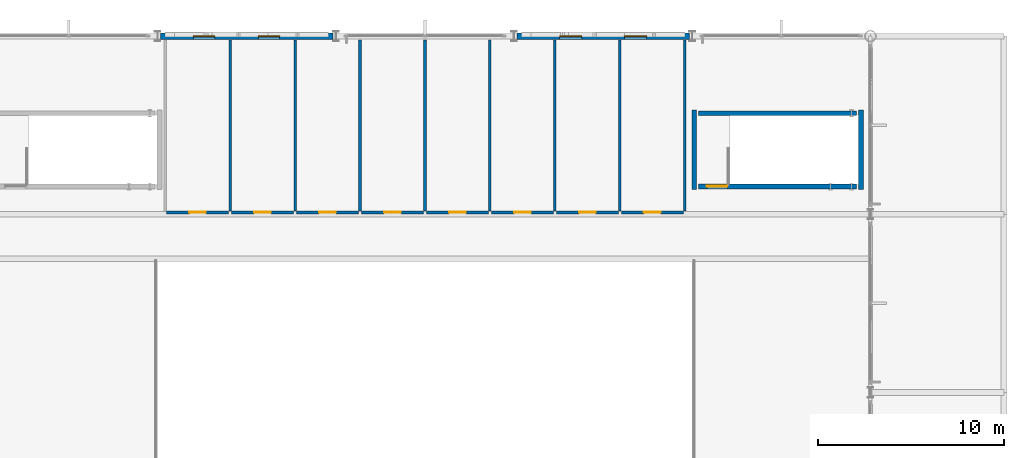
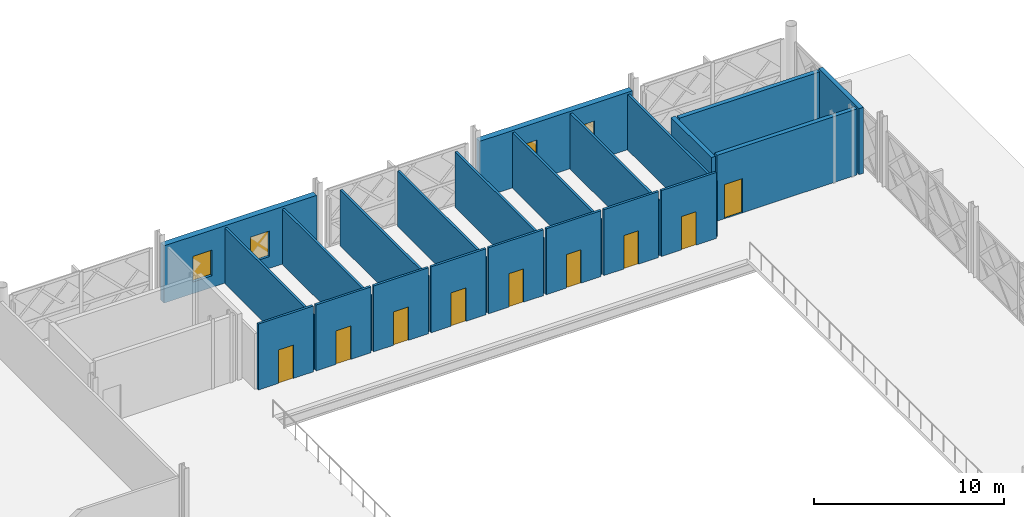
# One storey, part 72 of 101: 22 walls, 9 doors, 4 windows, 13 openings.
"""IFC4 building model written with IfcOpenShell, lengths in metres."""

from ifc_helpers import new_model, si_unit, direction, frame, frame_2d, origin, place, context, subcontext, project, spatial, rectangle, extrude, material, layer, layer_set, type_object, element, fill, save


model = new_model("IFC4")

# Units and contexts
model_context = context("Model", 3, precision=1e-05, world=origin(), true_north=direction((0.0, 1.0)))
body_context = subcontext(model_context, "Body", "Model", "MODEL_VIEW")
ifc_project = project(units=[si_unit("LENGTHUNIT", "METRE"), si_unit("AREAUNIT", "SQUARE_METRE"), si_unit("VOLUMEUNIT", "CUBIC_METRE"), si_unit("PLANEANGLEUNIT", "RADIAN"), si_unit("MASSUNIT", "GRAM", prefix="KILO")], contexts=[model_context])

# Site, building, storey
site_placement = place(None, origin())
site = spatial("IfcSite", under=ifc_project, at=site_placement, CompositionType="ELEMENT")
building_placement = place(site_placement, origin())
building = spatial("IfcBuilding", under=site, at=building_placement, Name="Zevrakil Square Congress Hotel", CompositionType="ELEMENT")
storey_placement = place(building_placement, frame((0.0, 0.0, 5.39990234375)))
storey = spatial("IfcBuildingStorey", under=building, at=storey_placement, Name="L02", CompositionType="ELEMENT", Elevation=5.39990234375)

# Wall, opening, door
ifc_material_1 = material(Name="Acoustic ISO-2603 Booth Partition")
ifc_layer_1 = layer(ifc_material_1, 0.139892578125)
ifc_layer_set_1 = layer_set([ifc_layer_1], Name="Acoustic ISO-2603 Booth Partition")
wall_type_1 = type_object("IfcWallType", Name="WAL-BOOTH-140", PredefinedType="PARTITIONING", material=ifc_layer_set_1)
wall_1_placement = place(storey_placement, frame((127.679931640625, 103.300048828125, 0.0), z_axis=(0.0, 0.0, 1.0), x_axis=(1.0, 0.0, 0.0)))
wall_1 = element("IfcWall", 1, at=wall_1_placement, inside=storey, type_object=wall_type_1, Name="L02 interior partition PW-L02-0189", PredefinedType="PARTITIONING", context=body_context, shape_type="SweptSolid", body=[
    extrude(rectangle(XDim=3.340087890625, YDim=0.139892578125, at=frame_2d((1.669921875, 0.0))), origin(), (0.0, 0.0, 1.0), 4.239990234375),
])
opening_1_placement = place(wall_1_placement, frame((1.219970703125, 0.0, 0.0)))
opening_1 = element("IfcOpeningElement", 2, at=opening_1_placement, cuts=wall_1, Name="Opening ID-06", PredefinedType="OPENING", context=body_context, shape_type="SweptSolid", body=[
    extrude(rectangle(XDim=0.89990234375, YDim=2.14990234375, at=frame_2d((0.449951171875, 1.074951171875))), frame((0.0, 0.080078125, 0.0), z_axis=(0.0, -1.0, 0.0), x_axis=(1.0, 0.0, 0.0)), (0.0, 0.0, 1.0), 0.159912109375),
])
ifc_material_2 = material(Name="ISO-2603 Sound-Lock Booth Door")
door_type_1 = type_object("IfcDoorType", Name="DOR-SI-090", OperationType="NOTDEFINED", PredefinedType="DOOR", material=ifc_material_2)
door_1_placement = place(opening_1_placement, origin())
door_1 = element("IfcDoor", 3, at=door_1_placement, inside=storey, type_object=door_type_1, Name="L02 interior door 79", OperationType="SINGLE_SWING_LEFT", OverallHeight=2.14990234375, OverallWidth=0.89990234375, PredefinedType="DOOR", context=body_context, shape_type="SweptSolid", body=[
    extrude(rectangle(XDim=0.89990234375, YDim=2.14990234375, at=frame_2d((0.449951171875, 1.074951171875))), frame((0.0, 0.02490234375, 0.0), z_axis=(0.0, -1.0, 0.0), x_axis=(1.0, 0.0, 0.0)), (0.0, 0.0, 1.0), 0.050048828125),
])
fill(opening_1, door_1)

wall_2_placement = place(storey_placement, frame((131.179931640625, 103.300048828125, 0.0), z_axis=(0.0, 0.0, 1.0), x_axis=(1.0, 0.0, 0.0)))
wall_2 = element("IfcWall", 4, at=wall_2_placement, inside=storey, type_object=wall_type_1, Name="L02 interior partition PW-L02-0191", PredefinedType="PARTITIONING", context=body_context, shape_type="SweptSolid", body=[
    extrude(rectangle(XDim=3.340087890625, YDim=0.139892578125, at=frame_2d((1.669921875, 0.0))), origin(), (0.0, 0.0, 1.0), 4.239990234375),
])
opening_2_placement = place(wall_2_placement, frame((1.219970703125, 0.0, 0.0)))
opening_2 = element("IfcOpeningElement", 5, at=opening_2_placement, cuts=wall_2, Name="Opening ID-06", PredefinedType="OPENING", context=body_context, shape_type="SweptSolid", body=[
    extrude(rectangle(XDim=0.89990234375, YDim=2.14990234375, at=frame_2d((0.449951171875, 1.074951171875))), frame((0.0, 0.080078125, 0.0), z_axis=(0.0, -1.0, 0.0), x_axis=(1.0, 0.0, 0.0)), (0.0, 0.0, 1.0), 0.159912109375),
])
door_2_placement = place(opening_2_placement, origin())
door_2 = element("IfcDoor", 6, at=door_2_placement, inside=storey, type_object=door_type_1, Name="L02 interior door 80", OperationType="SINGLE_SWING_RIGHT", OverallHeight=2.14990234375, OverallWidth=0.89990234375, PredefinedType="DOOR", context=body_context, shape_type="SweptSolid", body=[
    extrude(rectangle(XDim=0.89990234375, YDim=2.14990234375, at=frame_2d((0.449951171875, 1.074951171875))), frame((0.0, 0.02490234375, 0.0), z_axis=(0.0, -1.0, 0.0), x_axis=(1.0, 0.0, 0.0)), (0.0, 0.0, 1.0), 0.050048828125),
])
fill(opening_2, door_2)

# Wall
wall_3_placement = place(storey_placement, frame((131.10009765625, 103.3798828125, 0.0), z_axis=(0.0, 0.0, 1.0), x_axis=(0.0, 1.0, 0.0)))
element("IfcWall", 7, at=wall_3_placement, inside=storey, type_object=wall_type_1, Name="L02 interior partition PW-L02-0192", PredefinedType="PARTITIONING", context=body_context, shape_type="SweptSolid", body=[
    extrude(rectangle(XDim=9.2001953125, YDim=0.139892578125, at=frame_2d((4.60009765625, 0.0))), origin(), (0.0, 0.0, 1.0), 3.5751953125),
])

# Wall, opening, door
wall_4_placement = place(storey_placement, frame((134.679931640625, 103.300048828125, 0.0), z_axis=(0.0, 0.0, 1.0), x_axis=(1.0, 0.0, 0.0)))
wall_4 = element("IfcWall", 8, at=wall_4_placement, inside=storey, type_object=wall_type_1, Name="L02 interior partition PW-L02-0193", PredefinedType="PARTITIONING", context=body_context, shape_type="SweptSolid", body=[
    extrude(rectangle(XDim=3.340087890625, YDim=0.139892578125, at=frame_2d((1.669921875, 0.0))), origin(), (0.0, 0.0, 1.0), 4.239990234375),
])
opening_3_placement = place(wall_4_placement, frame((1.219970703125, 0.0, 0.0)))
opening_3 = element("IfcOpeningElement", 9, at=opening_3_placement, cuts=wall_4, Name="Opening ID-06", PredefinedType="OPENING", context=body_context, shape_type="SweptSolid", body=[
    extrude(rectangle(XDim=0.89990234375, YDim=2.14990234375, at=frame_2d((0.449951171875, 1.074951171875))), frame((0.0, 0.080078125, 0.0), z_axis=(0.0, -1.0, 0.0), x_axis=(1.0, 0.0, 0.0)), (0.0, 0.0, 1.0), 0.159912109375),
])
door_3_placement = place(opening_3_placement, origin())
door_3 = element("IfcDoor", 10, at=door_3_placement, inside=storey, type_object=door_type_1, Name="L02 interior door 81", OperationType="SINGLE_SWING_LEFT", OverallHeight=2.14990234375, OverallWidth=0.89990234375, PredefinedType="DOOR", context=body_context, shape_type="SweptSolid", body=[
    extrude(rectangle(XDim=0.89990234375, YDim=2.14990234375, at=frame_2d((0.449951171875, 1.074951171875))), frame((0.0, 0.02490234375, 0.0), z_axis=(0.0, -1.0, 0.0), x_axis=(1.0, 0.0, 0.0)), (0.0, 0.0, 1.0), 0.050048828125),
])
fill(opening_3, door_3)

# Wall
wall_5_placement = place(storey_placement, frame((134.60009765625, 103.3798828125, 0.0), z_axis=(0.0, 0.0, 1.0), x_axis=(0.0, 1.0, 0.0)))
element("IfcWall", 11, at=wall_5_placement, inside=storey, type_object=wall_type_1, Name="L02 interior partition PW-L02-0194", PredefinedType="PARTITIONING", context=body_context, shape_type="SweptSolid", body=[
    extrude(rectangle(XDim=9.2001953125, YDim=0.139892578125, at=frame_2d((4.60009765625, 0.0))), origin(), (0.0, 0.0, 1.0), 3.5751953125),
])

# Wall, opening, door
wall_6_placement = place(storey_placement, frame((138.179931640625, 103.300048828125, 0.0), z_axis=(0.0, 0.0, 1.0), x_axis=(1.0, 0.0, 0.0)))
wall_6 = element("IfcWall", 12, at=wall_6_placement, inside=storey, type_object=wall_type_1, Name="L02 interior partition PW-L02-0195", PredefinedType="PARTITIONING", context=body_context, shape_type="SweptSolid", body=[
    extrude(rectangle(XDim=3.340087890625, YDim=0.139892578125, at=frame_2d((1.669921875, 0.0))), origin(), (0.0, 0.0, 1.0), 4.239990234375),
])
opening_4_placement = place(wall_6_placement, frame((1.219970703125, 0.0, 0.0)))
opening_4 = element("IfcOpeningElement", 13, at=opening_4_placement, cuts=wall_6, Name="Opening ID-06", PredefinedType="OPENING", context=body_context, shape_type="SweptSolid", body=[
    extrude(rectangle(XDim=0.89990234375, YDim=2.14990234375, at=frame_2d((0.449951171875, 1.074951171875))), frame((0.0, 0.080078125, 0.0), z_axis=(0.0, -1.0, 0.0), x_axis=(1.0, 0.0, 0.0)), (0.0, 0.0, 1.0), 0.159912109375),
])
door_4_placement = place(opening_4_placement, origin())
door_4 = element("IfcDoor", 14, at=door_4_placement, inside=storey, type_object=door_type_1, Name="L02 interior door 82", OperationType="SINGLE_SWING_RIGHT", OverallHeight=2.14990234375, OverallWidth=0.89990234375, PredefinedType="DOOR", context=body_context, shape_type="SweptSolid", body=[
    extrude(rectangle(XDim=0.89990234375, YDim=2.14990234375, at=frame_2d((0.449951171875, 1.074951171875))), frame((0.0, 0.02490234375, 0.0), z_axis=(0.0, -1.0, 0.0), x_axis=(1.0, 0.0, 0.0)), (0.0, 0.0, 1.0), 0.050048828125),
])
fill(opening_4, door_4)

# Wall
wall_7_placement = place(storey_placement, frame((138.10009765625, 103.3798828125, 0.0), z_axis=(0.0, 0.0, 1.0), x_axis=(0.0, 1.0, 0.0)))
element("IfcWall", 15, at=wall_7_placement, inside=storey, type_object=wall_type_1, Name="L02 interior partition PW-L02-0196", PredefinedType="PARTITIONING", context=body_context, shape_type="SweptSolid", body=[
    extrude(rectangle(XDim=9.2001953125, YDim=0.139892578125, at=frame_2d((4.60009765625, 0.0))), origin(), (0.0, 0.0, 1.0), 3.5751953125),
])

# Wall, opening, door
wall_8_placement = place(storey_placement, frame((141.679931640625, 103.300048828125, 0.0), z_axis=(0.0, 0.0, 1.0), x_axis=(1.0, 0.0, 0.0)))
wall_8 = element("IfcWall", 16, at=wall_8_placement, inside=storey, type_object=wall_type_1, Name="L02 interior partition PW-L02-0197", PredefinedType="PARTITIONING", context=body_context, shape_type="SweptSolid", body=[
    extrude(rectangle(XDim=3.340087890625, YDim=0.139892578125, at=frame_2d((1.669921875, 0.0))), origin(), (0.0, 0.0, 1.0), 4.239990234375),
])
opening_5_placement = place(wall_8_placement, frame((1.219970703125, 0.0, 0.0)))
opening_5 = element("IfcOpeningElement", 17, at=opening_5_placement, cuts=wall_8, Name="Opening ID-06", PredefinedType="OPENING", context=body_context, shape_type="SweptSolid", body=[
    extrude(rectangle(XDim=0.89990234375, YDim=2.14990234375, at=frame_2d((0.449951171875, 1.074951171875))), frame((0.0, 0.080078125, 0.0), z_axis=(0.0, -1.0, 0.0), x_axis=(1.0, 0.0, 0.0)), (0.0, 0.0, 1.0), 0.159912109375),
])
door_5_placement = place(opening_5_placement, origin())
door_5 = element("IfcDoor", 18, at=door_5_placement, inside=storey, type_object=door_type_1, Name="L02 interior door 83", OperationType="SINGLE_SWING_LEFT", OverallHeight=2.14990234375, OverallWidth=0.89990234375, PredefinedType="DOOR", context=body_context, shape_type="SweptSolid", body=[
    extrude(rectangle(XDim=0.89990234375, YDim=2.14990234375, at=frame_2d((0.449951171875, 1.074951171875))), frame((0.0, 0.02490234375, 0.0), z_axis=(0.0, -1.0, 0.0), x_axis=(1.0, 0.0, 0.0)), (0.0, 0.0, 1.0), 0.050048828125),
])
fill(opening_5, door_5)

# Wall
wall_9_placement = place(storey_placement, frame((141.60009765625, 103.3798828125, 0.0), z_axis=(0.0, 0.0, 1.0), x_axis=(0.0, 1.0, 0.0)))
element("IfcWall", 19, at=wall_9_placement, inside=storey, type_object=wall_type_1, Name="L02 interior partition PW-L02-0198", PredefinedType="PARTITIONING", context=body_context, shape_type="SweptSolid", body=[
    extrude(rectangle(XDim=9.2001953125, YDim=0.139892578125, at=frame_2d((4.60009765625, 0.0))), origin(), (0.0, 0.0, 1.0), 3.5751953125),
])

# Wall, opening, door
wall_10_placement = place(storey_placement, frame((145.179931640625, 103.300048828125, 0.0), z_axis=(0.0, 0.0, 1.0), x_axis=(1.0, 0.0, 0.0)))
wall_10 = element("IfcWall", 20, at=wall_10_placement, inside=storey, type_object=wall_type_1, Name="L02 interior partition PW-L02-0199", PredefinedType="PARTITIONING", context=body_context, shape_type="SweptSolid", body=[
    extrude(rectangle(XDim=3.340087890625, YDim=0.139892578125, at=frame_2d((1.669921875, 0.0))), origin(), (0.0, 0.0, 1.0), 4.239990234375),
])
opening_6_placement = place(wall_10_placement, frame((1.219970703125, 0.0, 0.0)))
opening_6 = element("IfcOpeningElement", 21, at=opening_6_placement, cuts=wall_10, Name="Opening ID-06", PredefinedType="OPENING", context=body_context, shape_type="SweptSolid", body=[
    extrude(rectangle(XDim=0.89990234375, YDim=2.14990234375, at=frame_2d((0.449951171875, 1.074951171875))), frame((0.0, 0.080078125, 0.0), z_axis=(0.0, -1.0, 0.0), x_axis=(1.0, 0.0, 0.0)), (0.0, 0.0, 1.0), 0.159912109375),
])
door_6_placement = place(opening_6_placement, origin())
door_6 = element("IfcDoor", 22, at=door_6_placement, inside=storey, type_object=door_type_1, Name="L02 interior door 84", OperationType="SINGLE_SWING_RIGHT", OverallHeight=2.14990234375, OverallWidth=0.89990234375, PredefinedType="DOOR", context=body_context, shape_type="SweptSolid", body=[
    extrude(rectangle(XDim=0.89990234375, YDim=2.14990234375, at=frame_2d((0.449951171875, 1.074951171875))), frame((0.0, 0.02490234375, 0.0), z_axis=(0.0, -1.0, 0.0), x_axis=(1.0, 0.0, 0.0)), (0.0, 0.0, 1.0), 0.050048828125),
])
fill(opening_6, door_6)

# Wall
wall_11_placement = place(storey_placement, frame((145.10009765625, 103.3798828125, 0.0), z_axis=(0.0, 0.0, 1.0), x_axis=(0.0, 1.0, 0.0)))
element("IfcWall", 23, at=wall_11_placement, inside=storey, type_object=wall_type_1, Name="L02 interior partition PW-L02-0200", PredefinedType="PARTITIONING", context=body_context, shape_type="SweptSolid", body=[
    extrude(rectangle(XDim=9.2001953125, YDim=0.139892578125, at=frame_2d((4.60009765625, 0.0))), origin(), (0.0, 0.0, 1.0), 3.5751953125),
])

# Wall, opening, door
wall_12_placement = place(storey_placement, frame((148.679931640625, 103.300048828125, 0.0), z_axis=(0.0, 0.0, 1.0), x_axis=(1.0, 0.0, 0.0)))
wall_12 = element("IfcWall", 24, at=wall_12_placement, inside=storey, type_object=wall_type_1, Name="L02 interior partition PW-L02-0201", PredefinedType="PARTITIONING", context=body_context, shape_type="SweptSolid", body=[
    extrude(rectangle(XDim=3.340087890625, YDim=0.139892578125, at=frame_2d((1.669921875, 0.0))), origin(), (0.0, 0.0, 1.0), 4.239990234375),
])
opening_7_placement = place(wall_12_placement, frame((1.219970703125, 0.0, 0.0)))
opening_7 = element("IfcOpeningElement", 25, at=opening_7_placement, cuts=wall_12, Name="Opening ID-06", PredefinedType="OPENING", context=body_context, shape_type="SweptSolid", body=[
    extrude(rectangle(XDim=0.89990234375, YDim=2.14990234375, at=frame_2d((0.449951171875, 1.074951171875))), frame((0.0, 0.080078125, 0.0), z_axis=(0.0, -1.0, 0.0), x_axis=(1.0, 0.0, 0.0)), (0.0, 0.0, 1.0), 0.159912109375),
])
door_7_placement = place(opening_7_placement, origin())
door_7 = element("IfcDoor", 26, at=door_7_placement, inside=storey, type_object=door_type_1, Name="L02 interior door 85", OperationType="SINGLE_SWING_LEFT", OverallHeight=2.14990234375, OverallWidth=0.89990234375, PredefinedType="DOOR", context=body_context, shape_type="SweptSolid", body=[
    extrude(rectangle(XDim=0.89990234375, YDim=2.14990234375, at=frame_2d((0.449951171875, 1.074951171875))), frame((0.0, 0.02490234375, 0.0), z_axis=(0.0, -1.0, 0.0), x_axis=(1.0, 0.0, 0.0)), (0.0, 0.0, 1.0), 0.050048828125),
])
fill(opening_7, door_7)

# Wall
wall_13_placement = place(storey_placement, frame((148.60009765625, 103.3798828125, 0.0), z_axis=(0.0, 0.0, 1.0), x_axis=(0.0, 1.0, 0.0)))
element("IfcWall", 27, at=wall_13_placement, inside=storey, type_object=wall_type_1, Name="L02 interior partition PW-L02-0202", PredefinedType="PARTITIONING", context=body_context, shape_type="SweptSolid", body=[
    extrude(rectangle(XDim=9.2001953125, YDim=0.139892578125, at=frame_2d((4.60009765625, 0.0))), origin(), (0.0, 0.0, 1.0), 3.5751953125),
])

# Wall, opening, door
wall_14_placement = place(storey_placement, frame((152.179931640625, 103.300048828125, 0.0), z_axis=(0.0, 0.0, 1.0), x_axis=(1.0, 0.0, 0.0)))
wall_14 = element("IfcWall", 28, at=wall_14_placement, inside=storey, type_object=wall_type_1, Name="L02 interior partition PW-L02-0203", PredefinedType="PARTITIONING", context=body_context, shape_type="SweptSolid", body=[
    extrude(rectangle(XDim=3.340087890625, YDim=0.139892578125, at=frame_2d((1.669921875, 0.0))), origin(), (0.0, 0.0, 1.0), 4.239990234375),
])
opening_8_placement = place(wall_14_placement, frame((1.219970703125, 0.0, 0.0)))
opening_8 = element("IfcOpeningElement", 29, at=opening_8_placement, cuts=wall_14, Name="Opening ID-06", PredefinedType="OPENING", context=body_context, shape_type="SweptSolid", body=[
    extrude(rectangle(XDim=0.89990234375, YDim=2.14990234375, at=frame_2d((0.449951171875, 1.074951171875))), frame((0.0, 0.080078125, 0.0), z_axis=(0.0, -1.0, 0.0), x_axis=(1.0, 0.0, 0.0)), (0.0, 0.0, 1.0), 0.159912109375),
])
door_8_placement = place(opening_8_placement, origin())
door_8 = element("IfcDoor", 30, at=door_8_placement, inside=storey, type_object=door_type_1, Name="L02 interior door 86", OperationType="SINGLE_SWING_RIGHT", OverallHeight=2.14990234375, OverallWidth=0.89990234375, PredefinedType="DOOR", context=body_context, shape_type="SweptSolid", body=[
    extrude(rectangle(XDim=0.89990234375, YDim=2.14990234375, at=frame_2d((0.449951171875, 1.074951171875))), frame((0.0, 0.02490234375, 0.0), z_axis=(0.0, -1.0, 0.0), x_axis=(1.0, 0.0, 0.0)), (0.0, 0.0, 1.0), 0.050048828125),
])
fill(opening_8, door_8)

# Walls
for number, where, z_axis, x_axis, name in (
    (31, (152.10009765625, 103.3798828125, 0.0), (0.0, 0.0, 1.0), (0.0, 1.0, 0.0), "L02 interior partition PW-L02-0204"),
    (32, (155.60009765625, 103.3798828125, 0.0), (0.0, 0.0, 1.0), (0.0, 1.0, 0.0), "L02 interior partition PW-L02-0205"),
):
    element("IfcWall", number, at=place(storey_placement, frame(where, z_axis=z_axis, x_axis=x_axis)), inside=storey, type_object=wall_type_1, Name=name, PredefinedType="PARTITIONING", context=body_context, shape_type="SweptSolid", body=[
        extrude(rectangle(XDim=9.2001953125, YDim=0.139892578125, at=frame_2d((4.60009765625, 0.0))), origin(), (0.0, 0.0, 1.0), 3.5751953125),
    ])

# Wall, openings, windows
ifc_material_3 = material(Name="Precast concrete C40/50", Category="concrete")
ifc_layer_2 = layer(ifc_material_3, 0.360107421875)
ifc_layer_set_2 = layer_set([ifc_layer_2], Name="Precast concrete C40/50")
wall_type_2 = type_object("IfcWallType", Name="WAL-EXT-GRC-360", PredefinedType="SOLIDWALL", material=ifc_layer_set_2)
wall_15_placement = place(storey_placement, frame((127.35400390625, 112.800048828125, 0.0), z_axis=(0.0, 0.0, 1.0), x_axis=(1.0, 0.0, 0.0)))
wall_15 = element("IfcWall", 33, at=wall_15_placement, inside=storey, type_object=wall_type_2, Name="L02 exterior GRC wall EW-L02-0064", PredefinedType="SOLIDWALL", context=body_context, shape_type="SweptSolid", body=[
    extrude(rectangle(XDim=9.2919921875, YDim=0.360107421875, at=frame_2d((4.64599609375, 0.0))), origin(), (0.0, 0.0, 1.0), 3.68505859375),
])
opening_9_placement = place(wall_15_placement, frame((1.77294921875, 0.0, 0.75)))
opening_9 = element("IfcOpeningElement", 34, at=opening_9_placement, cuts=wall_15, Name="Opening WN-13", PredefinedType="OPENING", context=body_context, shape_type="SweptSolid", body=[
    extrude(rectangle(XDim=1.14990234375, YDim=1.64990234375, at=frame_2d((0.574951171875, 0.824951171875))), frame((0.0, 0.18994140625, 0.0), z_axis=(0.0, -1.0, 0.0), x_axis=(1.0, 0.0, 0.0)), (0.0, 0.0, 1.0), 0.380126953125),
])
opening_10_placement = place(wall_15_placement, frame((5.26904296875, 0.0, 0.75)))
opening_10 = element("IfcOpeningElement", 35, at=opening_10_placement, cuts=wall_15, Name="Opening WN-13", PredefinedType="OPENING", context=body_context, shape_type="SweptSolid", body=[
    extrude(rectangle(XDim=1.14990234375, YDim=1.64990234375, at=frame_2d((0.574951171875, 0.824951171875))), frame((0.0, 0.18994140625, 0.0), z_axis=(0.0, -1.0, 0.0), x_axis=(1.0, 0.0, 0.0)), (0.0, 0.0, 1.0), 0.380126953125),
])
ifc_material_4 = material(Name="Low-E Solar Control Double Glazing", Category="glass")
window_type_1 = type_object("IfcWindowType", Name="WIN-EXT-13", PartitioningType="SINGLE_PANEL", PredefinedType="WINDOW", material=ifc_material_4)
window_1_placement = place(opening_9_placement, origin())
window_1 = element("IfcWindow", 36, at=window_1_placement, inside=storey, type_object=window_type_1, Name="L02 low-E solar window 57", OverallHeight=1.64990234375, OverallWidth=1.14990234375, PartitioningType="SINGLE_PANEL", PredefinedType="WINDOW", context=body_context, shape_type="SweptSolid", body=[
    extrude(rectangle(XDim=1.14990234375, YDim=1.64990234375, at=frame_2d((0.574951171875, 0.824951171875))), frame((0.0, 0.030029296875, 0.0), z_axis=(0.0, -1.0, 0.0), x_axis=(1.0, 0.0, 0.0)), (0.0, 0.0, 1.0), 0.06005859375),
])
fill(opening_9, window_1)
window_2_placement = place(opening_10_placement, origin())
window_2 = element("IfcWindow", 37, at=window_2_placement, inside=storey, type_object=window_type_1, Name="L02 low-E solar window 58", OverallHeight=1.64990234375, OverallWidth=1.14990234375, PartitioningType="SINGLE_PANEL", PredefinedType="WINDOW", context=body_context, shape_type="SweptSolid", body=[
    extrude(rectangle(XDim=1.14990234375, YDim=1.64990234375, at=frame_2d((0.574951171875, 0.824951171875))), frame((0.0, 0.030029296875, 0.0), z_axis=(0.0, -1.0, 0.0), x_axis=(1.0, 0.0, 0.0)), (0.0, 0.0, 1.0), 0.06005859375),
])
fill(opening_10, window_2)

wall_16_placement = place(storey_placement, frame((146.553955078125, 112.800048828125, 0.0), z_axis=(0.0, 0.0, 1.0), x_axis=(1.0, 0.0, 0.0)))
wall_16 = element("IfcWall", 38, at=wall_16_placement, inside=storey, type_object=wall_type_2, Name="L02 exterior GRC wall EW-L02-0068", PredefinedType="SOLIDWALL", context=body_context, shape_type="SweptSolid", body=[
    extrude(rectangle(XDim=9.2919921875, YDim=0.360107421875, at=frame_2d((4.64599609375, 0.0))), origin(), (0.0, 0.0, 1.0), 3.68505859375),
])
opening_11_placement = place(wall_16_placement, frame((2.298095703125, 0.0, 0.75)))
opening_11 = element("IfcOpeningElement", 39, at=opening_11_placement, cuts=wall_16, Name="Opening WN-19", PredefinedType="OPENING", context=body_context, shape_type="SweptSolid", body=[
    extrude(rectangle(XDim=1.199951171875, YDim=1.800048828125, at=frame_2d((0.60009765625, 0.89990234375))), frame((0.0, 0.18994140625, 0.0), z_axis=(0.0, -1.0, 0.0), x_axis=(1.0, 0.0, 0.0)), (0.0, 0.0, 1.0), 0.380126953125),
])
opening_12_placement = place(wall_16_placement, frame((5.7939453125, 0.0, 0.75)))
opening_12 = element("IfcOpeningElement", 40, at=opening_12_placement, cuts=wall_16, Name="Opening WN-19", PredefinedType="OPENING", context=body_context, shape_type="SweptSolid", body=[
    extrude(rectangle(XDim=1.199951171875, YDim=1.800048828125, at=frame_2d((0.60009765625, 0.89990234375))), frame((0.0, 0.18994140625, 0.0), z_axis=(0.0, -1.0, 0.0), x_axis=(1.0, 0.0, 0.0)), (0.0, 0.0, 1.0), 0.380126953125),
])
ifc_material_5 = material(Name="Low-E Solar Control Double Glazing", Category="glass")
window_type_2 = type_object("IfcWindowType", Name="WIN-EXT-19", PartitioningType="SINGLE_PANEL", PredefinedType="WINDOW", material=ifc_material_5)
window_3_placement = place(opening_11_placement, origin())
window_3 = element("IfcWindow", 41, at=window_3_placement, inside=storey, type_object=window_type_2, Name="L02 low-E solar window 63", OverallHeight=1.800048828125, OverallWidth=1.199951171875, PartitioningType="SINGLE_PANEL", PredefinedType="WINDOW", context=body_context, shape_type="SweptSolid", body=[
    extrude(rectangle(XDim=1.199951171875, YDim=1.800048828125, at=frame_2d((0.60009765625, 0.89990234375))), frame((0.0, 0.030029296875, 0.0), z_axis=(0.0, -1.0, 0.0), x_axis=(1.0, 0.0, 0.0)), (0.0, 0.0, 1.0), 0.06005859375),
])
fill(opening_11, window_3)
window_4_placement = place(opening_12_placement, origin())
window_4 = element("IfcWindow", 42, at=window_4_placement, inside=storey, type_object=window_type_2, Name="L02 low-E solar window 64", OverallHeight=1.800048828125, OverallWidth=1.199951171875, PartitioningType="SINGLE_PANEL", PredefinedType="WINDOW", context=body_context, shape_type="SweptSolid", body=[
    extrude(rectangle(XDim=1.199951171875, YDim=1.800048828125, at=frame_2d((0.60009765625, 0.89990234375))), frame((0.0, 0.030029296875, 0.0), z_axis=(0.0, -1.0, 0.0), x_axis=(1.0, 0.0, 0.0)), (0.0, 0.0, 1.0), 0.06005859375),
])
fill(opening_12, window_4)

# Walls
ifc_material_6 = material(Name="Concrete C40/50", Category="concrete")
ifc_layer_3 = layer(ifc_material_6, 0.260009765625)
ifc_layer_set_3 = layer_set([ifc_layer_3], Name="Concrete C40/50")
wall_type_3 = type_object("IfcWallType", Name="WAL-SHAFT-260", PredefinedType="SHEAR", material=ifc_layer_set_3)
for number, where, z_axis, x_axis, name in (
    (43, (156.10498046875, 104.5400390625, 0.0), (0.0, 0.0, 1.0), (0.0, 1.0, 0.0), "L02 ST10 stair shaft W wall"),
    (44, (165.094970703125, 104.5400390625, 0.0), (0.0, 0.0, 1.0), (0.0, 1.0, 0.0), "L02 ST10 stair shaft E wall"),
):
    element("IfcWall", number, at=place(storey_placement, frame(where, z_axis=z_axis, x_axis=x_axis)), inside=storey, type_object=wall_type_3, Name=name, PredefinedType="SHEAR", context=body_context, shape_type="SweptSolid", body=[
        extrude(rectangle(XDim=4.27001953125, YDim=0.260009765625, at=frame_2d((2.135009765625, 0.0))), origin(), (0.0, 0.0, 1.0), 4.239990234375),
    ])

# Wall, opening, door
wall_17_placement = place(storey_placement, frame((156.340087890625, 104.705078125, 0.0), z_axis=(0.0, 0.0, 1.0), x_axis=(1.0, 0.0, 0.0)))
wall_17 = element("IfcWall", 45, at=wall_17_placement, inside=storey, type_object=wall_type_3, Name="L02 ST10 stair shaft S wall", PredefinedType="SHEAR", context=body_context, shape_type="SweptSolid", body=[
    extrude(rectangle(XDim=8.52001953125, YDim=0.260009765625, at=frame_2d((4.260009765625, 0.0))), origin(), (0.0, 0.0, 1.0), 4.239990234375),
])
opening_13_placement = place(wall_17_placement, frame((0.449951171875, 0.0, 0.0)))
opening_13 = element("IfcOpeningElement", 46, at=opening_13_placement, cuts=wall_17, Name="Opening SD-ST10", PredefinedType="OPENING", context=body_context, shape_type="SweptSolid", body=[
    extrude(rectangle(XDim=1.10009765625, YDim=2.199951171875, at=frame_2d((0.550048828125, 1.10009765625))), frame((0.0, 0.14013671875, 0.0), z_axis=(0.0, -1.0, 0.0), x_axis=(1.0, 0.0, 0.0)), (0.0, 0.0, 1.0), 0.280029296875),
])
ifc_material_7 = material(Name="Steel S355 Fire-Rated Door", Category="steel")
door_type_2 = type_object("IfcDoorType", Name="DOR-STAIR-FD90-110", OperationType="NOTDEFINED", PredefinedType="DOOR", material=ifc_material_7)
door_9_placement = place(opening_13_placement, origin())
door_9 = element("IfcDoor", 47, at=door_9_placement, inside=storey, type_object=door_type_2, Name="L02 ST10 protected stair fire door", OperationType="SINGLE_SWING_LEFT", OverallHeight=2.199951171875, OverallWidth=1.10009765625, PredefinedType="DOOR", context=body_context, shape_type="SweptSolid", body=[
    extrude(rectangle(XDim=1.10009765625, YDim=2.199951171875, at=frame_2d((0.550048828125, 1.10009765625))), frame((0.0, 0.02490234375, 0.0), z_axis=(0.0, -1.0, 0.0), x_axis=(1.0, 0.0, 0.0)), (0.0, 0.0, 1.0), 0.050048828125),
])
fill(opening_13, door_9)

# Wall
wall_18_placement = place(storey_placement, frame((156.340087890625, 108.64501953125, 0.0), z_axis=(0.0, 0.0, 1.0), x_axis=(1.0, 0.0, 0.0)))
element("IfcWall", 48, at=wall_18_placement, inside=storey, type_object=wall_type_3, Name="L02 ST10 stair shaft N wall", PredefinedType="SHEAR", context=body_context, shape_type="SweptSolid", body=[
    extrude(rectangle(XDim=8.52001953125, YDim=0.260009765625, at=frame_2d((4.260009765625, 0.0))), origin(), (0.0, 0.0, 1.0), 4.239990234375),
])

save(model, "model.ifc")
